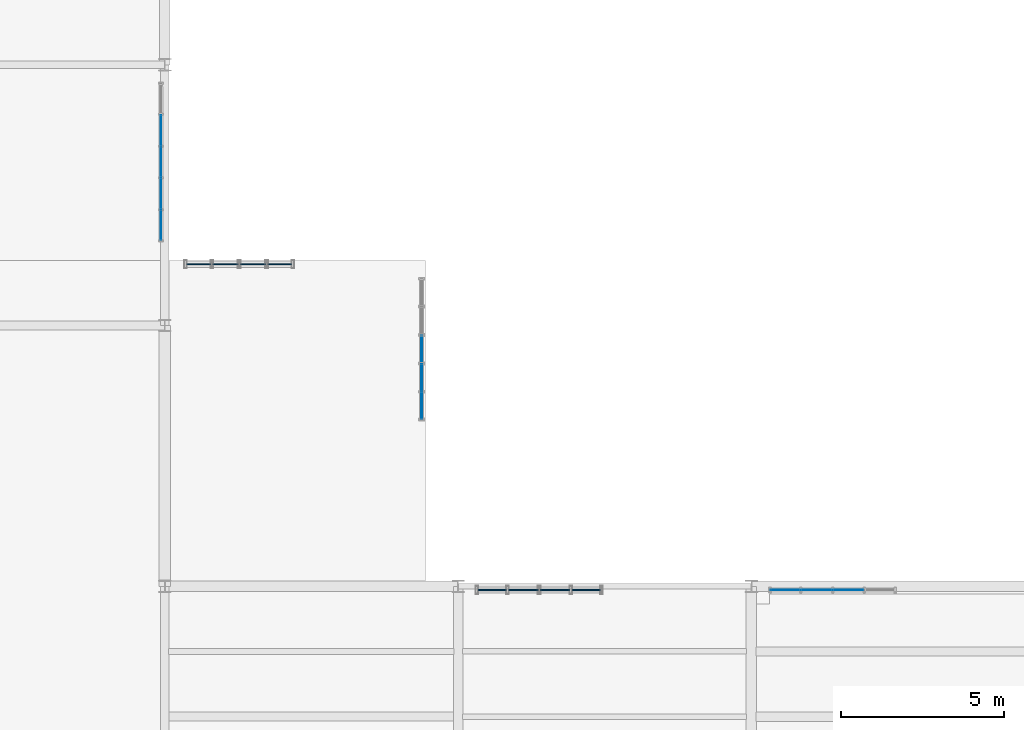
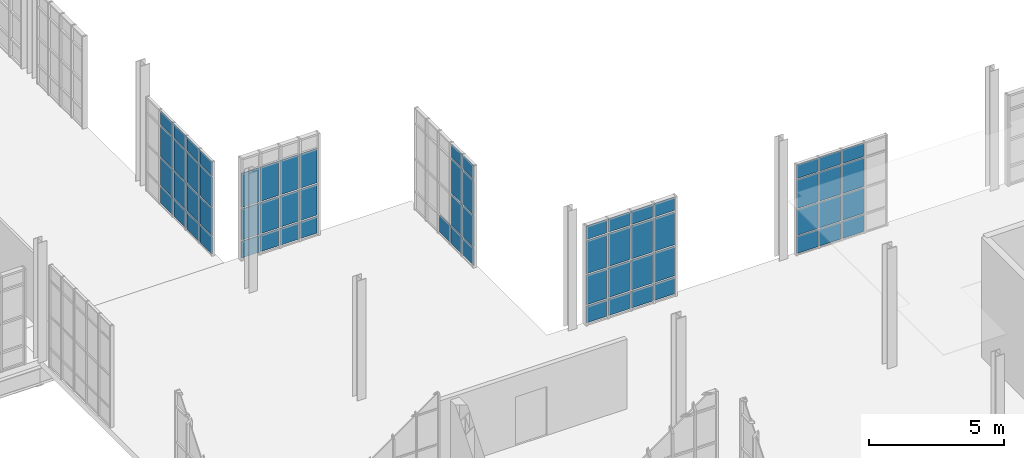
# One storey, part 156 of 189: 65 plates, 5 elements without a shape of their own.
"""IFC4 building model written with IfcOpenShell, lengths in metres."""

from ifc_helpers import new_model, si_unit, direction, frame, origin, origin_2d, place, context, subcontext, project, spatial, rectangle, extrude, material, layer, layer_set, type_object, element, aggregate, save


model = new_model("IFC4")

# Units and contexts
model_context = context("Model", 3, precision=1e-05, world=origin(), true_north=direction((0.0, 1.0)))
body_context = subcontext(model_context, "Body", "Model", "MODEL_VIEW")
ifc_project = project(units=[si_unit("LENGTHUNIT", "METRE"), si_unit("AREAUNIT", "SQUARE_METRE"), si_unit("VOLUMEUNIT", "CUBIC_METRE"), si_unit("PLANEANGLEUNIT", "RADIAN"), si_unit("MASSUNIT", "GRAM", prefix="KILO"), si_unit("THERMODYNAMICTEMPERATUREUNIT", "KELVIN"), si_unit("POWERUNIT", "WATT")], contexts=[model_context])

# Site, building, storey
site_placement = place(None, origin())
site = spatial("IfcSite", under=ifc_project, at=site_placement, CompositionType="ELEMENT")
building_placement = place(site_placement, origin())
building = spatial("IfcBuilding", under=site, at=building_placement, Name="Zelmaris Science Centre", CompositionType="ELEMENT")
storey_placement = place(building_placement, origin())
storey = spatial("IfcBuildingStorey", under=building, at=storey_placement, Name="L00", CompositionType="ELEMENT", Elevation=0.0)

# Curtain wall, plates
ifc_material_1 = material(Name="Anodised architectural aluminium 6063-T6", Category="aluminium")
ifc_layer_1 = layer(ifc_material_1, 0.18994140625, Name="Anodised architectural aluminium 6063-T6")
ifc_layer_set_1 = layer_set([ifc_layer_1], Name="Anodised architectural aluminium 6063-T6")
curtain_wall_type_1 = type_object("IfcCurtainWallType", Name="Curtain Wall CW-01", PredefinedType="USERDEFINED", material=ifc_layer_set_1)
curtain_wall_1_placement = place(storey_placement, origin())
curtain_wall_1 = element("IfcCurtainWall", 1, at=curtain_wall_1_placement, inside=storey, type_object=curtain_wall_type_1, Name="L00 Unitised curtain wall 89", ObjectType="GLAZED CURTAIN WALL", PredefinedType="USERDEFINED")
ifc_material_2 = material(Name="Laminated hurricane-rated low-E insulated glazing", Category="glass")
ifc_layer_2 = layer(ifc_material_2, 0.031982421875, Name="Laminated hurricane-rated low-E insulated glazing")
ifc_layer_set_2 = layer_set([ifc_layer_2], Name="Laminated hurricane-rated low-E insulated glazing")
plate_type_1 = type_object("IfcPlateType", Name="Curtain Glazing Panel CWP-1 32mm", PredefinedType="CURTAIN_PANEL", material=ifc_layer_set_2)
plate_1_placement = place(storey_placement, frame((109.039306640625, 65.8798828125, 0.05712890625), z_axis=(0.0, 0.0, 1.0), x_axis=(1.0, 0.0, 0.0)))
plate_1 = element("IfcPlate", 2, at=plate_1_placement, type_object=plate_type_1, Name="CW-01 panel 1.1", PredefinedType="CURTAIN_PANEL", context=body_context, shape_type="SweptSolid", body=[
    extrude(rectangle(XDim=0.734619140625, YDim=0.031982421875, at=origin_2d()), origin(), (0.0, 0.0, 1.0), 0.741943359375),
])
plate_2_placement = place(storey_placement, frame((109.039306640625, 65.8798828125, 0.87109375), z_axis=(0.0, 0.0, 1.0), x_axis=(1.0, 0.0, 0.0)))
plate_2 = element("IfcPlate", 3, at=plate_2_placement, type_object=plate_type_1, Name="CW-01 panel 1.2", PredefinedType="CURTAIN_PANEL", context=body_context, shape_type="SweptSolid", body=[
    extrude(rectangle(XDim=0.734619140625, YDim=0.031982421875, at=origin_2d()), origin(), (0.0, 0.0, 1.0), 1.385498046875),
])
plate_3_placement = place(storey_placement, frame((109.039306640625, 65.8798828125, 2.32861328125), z_axis=(0.0, 0.0, 1.0), x_axis=(1.0, 0.0, 0.0)))
plate_3 = element("IfcPlate", 4, at=plate_3_placement, type_object=plate_type_1, Name="CW-01 panel 1.3", PredefinedType="CURTAIN_PANEL", context=body_context, shape_type="SweptSolid", body=[
    extrude(rectangle(XDim=0.734619140625, YDim=0.031982421875, at=origin_2d()), origin(), (0.0, 0.0, 1.0), 1.535400390625),
])
plate_4_placement = place(storey_placement, frame((109.86376953125, 65.8798828125, 0.05712890625), z_axis=(0.0, 0.0, 1.0), x_axis=(1.0, 0.0, 0.0)))
plate_4 = element("IfcPlate", 5, at=plate_4_placement, type_object=plate_type_1, Name="CW-01 panel 2.1", PredefinedType="CURTAIN_PANEL", context=body_context, shape_type="SweptSolid", body=[
    extrude(rectangle(XDim=0.7705078125, YDim=0.031982421875, at=origin_2d()), origin(), (0.0, 0.0, 1.0), 0.741943359375),
])
plate_5_placement = place(storey_placement, frame((109.86376953125, 65.8798828125, 0.87109375), z_axis=(0.0, 0.0, 1.0), x_axis=(1.0, 0.0, 0.0)))
plate_5 = element("IfcPlate", 6, at=plate_5_placement, type_object=plate_type_1, Name="CW-01 panel 2.2", PredefinedType="CURTAIN_PANEL", context=body_context, shape_type="SweptSolid", body=[
    extrude(rectangle(XDim=0.7705078125, YDim=0.031982421875, at=origin_2d()), origin(), (0.0, 0.0, 1.0), 1.385498046875),
])
plate_6_placement = place(storey_placement, frame((109.86376953125, 65.8798828125, 2.32861328125), z_axis=(0.0, 0.0, 1.0), x_axis=(1.0, 0.0, 0.0)))
plate_6 = element("IfcPlate", 7, at=plate_6_placement, type_object=plate_type_1, Name="CW-01 panel 2.3", PredefinedType="CURTAIN_PANEL", context=body_context, shape_type="SweptSolid", body=[
    extrude(rectangle(XDim=0.7705078125, YDim=0.031982421875, at=origin_2d()), origin(), (0.0, 0.0, 1.0), 1.535400390625),
])
plate_7_placement = place(storey_placement, frame((110.706298828125, 65.8798828125, 0.05712890625), z_axis=(0.0, 0.0, 1.0), x_axis=(1.0, 0.0, 0.0)))
plate_7 = element("IfcPlate", 8, at=plate_7_placement, type_object=plate_type_1, Name="CW-01 panel 3.1", PredefinedType="CURTAIN_PANEL", context=body_context, shape_type="SweptSolid", body=[
    extrude(rectangle(XDim=0.7705078125, YDim=0.031982421875, at=origin_2d()), origin(), (0.0, 0.0, 1.0), 0.741943359375),
])
plate_8_placement = place(storey_placement, frame((110.706298828125, 65.8798828125, 0.87109375), z_axis=(0.0, 0.0, 1.0), x_axis=(1.0, 0.0, 0.0)))
plate_8 = element("IfcPlate", 9, at=plate_8_placement, type_object=plate_type_1, Name="CW-01 panel 3.2", PredefinedType="CURTAIN_PANEL", context=body_context, shape_type="SweptSolid", body=[
    extrude(rectangle(XDim=0.7705078125, YDim=0.031982421875, at=origin_2d()), origin(), (0.0, 0.0, 1.0), 1.385498046875),
])
plate_9_placement = place(storey_placement, frame((110.706298828125, 65.8798828125, 2.32861328125), z_axis=(0.0, 0.0, 1.0), x_axis=(1.0, 0.0, 0.0)))
plate_9 = element("IfcPlate", 10, at=plate_9_placement, type_object=plate_type_1, Name="CW-01 panel 3.3", PredefinedType="CURTAIN_PANEL", context=body_context, shape_type="SweptSolid", body=[
    extrude(rectangle(XDim=0.7705078125, YDim=0.031982421875, at=origin_2d()), origin(), (0.0, 0.0, 1.0), 1.535400390625),
])
plate_10_placement = place(storey_placement, frame((111.53076171875, 65.8798828125, 0.05712890625), z_axis=(0.0, 0.0, 1.0), x_axis=(1.0, 0.0, 0.0)))
plate_10 = element("IfcPlate", 11, at=plate_10_placement, type_object=plate_type_1, Name="CW-01 panel 4.1", PredefinedType="CURTAIN_PANEL", context=body_context, shape_type="SweptSolid", body=[
    extrude(rectangle(XDim=0.734619140625, YDim=0.031982421875, at=origin_2d()), origin(), (0.0, 0.0, 1.0), 0.741943359375),
])
plate_11_placement = place(storey_placement, frame((111.53076171875, 65.8798828125, 0.87109375), z_axis=(0.0, 0.0, 1.0), x_axis=(1.0, 0.0, 0.0)))
plate_11 = element("IfcPlate", 12, at=plate_11_placement, type_object=plate_type_1, Name="CW-01 panel 4.2", PredefinedType="CURTAIN_PANEL", context=body_context, shape_type="SweptSolid", body=[
    extrude(rectangle(XDim=0.734619140625, YDim=0.031982421875, at=origin_2d()), origin(), (0.0, 0.0, 1.0), 1.385498046875),
])
plate_12_placement = place(storey_placement, frame((111.53076171875, 65.8798828125, 2.32861328125), z_axis=(0.0, 0.0, 1.0), x_axis=(1.0, 0.0, 0.0)))
plate_12 = element("IfcPlate", 13, at=plate_12_placement, type_object=plate_type_1, Name="CW-01 panel 4.3", PredefinedType="CURTAIN_PANEL", context=body_context, shape_type="SweptSolid", body=[
    extrude(rectangle(XDim=0.734619140625, YDim=0.031982421875, at=origin_2d()), origin(), (0.0, 0.0, 1.0), 1.535400390625),
])
aggregate(curtain_wall_1, [plate_1, plate_2, plate_3, plate_4, plate_5, plate_6, plate_7, plate_8, plate_9, plate_10, plate_11, plate_12])

curtain_wall_2_placement = place(storey_placement, origin())
curtain_wall_2 = element("IfcCurtainWall", 14, at=curtain_wall_2_placement, inside=storey, type_object=curtain_wall_type_1, Name="L00 Unitised curtain wall 93", ObjectType="GLAZED CURTAIN WALL", PredefinedType="USERDEFINED")
plate_13_placement = place(storey_placement, frame((118.04541015625, 55.88671875, 0.05712890625), z_axis=(0.0, 0.0, 1.0), x_axis=(0.999999978961, -0.000205128196, 0.0)))
plate_13 = element("IfcPlate", 15, at=plate_13_placement, type_object=plate_type_1, Name="CW-01 panel 1.1", PredefinedType="CURTAIN_PANEL", context=body_context, shape_type="SweptSolid", body=[
    extrude(rectangle(XDim=0.866943359375, YDim=0.031982421875, at=origin_2d()), origin(), (0.0, 0.0, 1.0), 0.741943359375),
])
plate_14_placement = place(storey_placement, frame((118.04541015625, 55.88671875, 0.870849609375), z_axis=(0.0, 0.0, 1.0), x_axis=(0.999999978961, -0.000205128196, 0.0)))
plate_14 = element("IfcPlate", 16, at=plate_14_placement, type_object=plate_type_1, Name="CW-01 panel 1.2", PredefinedType="CURTAIN_PANEL", context=body_context, shape_type="SweptSolid", body=[
    extrude(rectangle(XDim=0.866943359375, YDim=0.031982421875, at=origin_2d()), origin(), (0.0, 0.0, 1.0), 1.32861328125),
])
plate_15_placement = place(storey_placement, frame((118.04541015625, 55.88671875, 2.271484375), z_axis=(0.0, 0.0, 1.0), x_axis=(0.999999978961, -0.000205128196, 0.0)))
plate_15 = element("IfcPlate", 17, at=plate_15_placement, type_object=plate_type_1, Name="CW-01 panel 1.3", PredefinedType="CURTAIN_PANEL", context=body_context, shape_type="SweptSolid", body=[
    extrude(rectangle(XDim=0.866943359375, YDim=0.031982421875, at=origin_2d()), origin(), (0.0, 0.0, 1.0), 1.478515625),
])
plate_16_placement = place(storey_placement, frame((118.04541015625, 55.88671875, 3.82177734375), z_axis=(0.0, 0.0, 1.0), x_axis=(0.999999978961, -0.000205128196, 0.0)))
plate_16 = element("IfcPlate", 18, at=plate_16_placement, type_object=plate_type_1, Name="CW-01 panel 1.4", PredefinedType="CURTAIN_PANEL", context=body_context, shape_type="SweptSolid", body=[
    extrude(rectangle(XDim=0.866943359375, YDim=0.031982421875, at=origin_2d()), origin(), (0.0, 0.0, 1.0), 0.592041015625),
])
plate_17_placement = place(storey_placement, frame((119.00244140625, 55.886474609375, 0.05712890625), z_axis=(0.0, 0.0, 1.0), x_axis=(0.999999978961, -0.000205128196, 0.0)))
plate_17 = element("IfcPlate", 19, at=plate_17_placement, type_object=plate_type_1, Name="CW-01 panel 2.1", PredefinedType="CURTAIN_PANEL", context=body_context, shape_type="SweptSolid", body=[
    extrude(rectangle(XDim=0.903076171875, YDim=0.031982421875, at=origin_2d()), origin(), (0.0, 0.0, 1.0), 0.741943359375),
])
plate_18_placement = place(storey_placement, frame((119.00244140625, 55.886474609375, 0.870849609375), z_axis=(0.0, 0.0, 1.0), x_axis=(0.999999978961, -0.000205128196, 0.0)))
plate_18 = element("IfcPlate", 20, at=plate_18_placement, type_object=plate_type_1, Name="CW-01 panel 2.2", PredefinedType="CURTAIN_PANEL", context=body_context, shape_type="SweptSolid", body=[
    extrude(rectangle(XDim=0.903076171875, YDim=0.031982421875, at=origin_2d()), origin(), (0.0, 0.0, 1.0), 1.32861328125),
])
plate_19_placement = place(storey_placement, frame((119.00244140625, 55.886474609375, 2.271484375), z_axis=(0.0, 0.0, 1.0), x_axis=(0.999999978961, -0.000205128196, 0.0)))
plate_19 = element("IfcPlate", 21, at=plate_19_placement, type_object=plate_type_1, Name="CW-01 panel 2.3", PredefinedType="CURTAIN_PANEL", context=body_context, shape_type="SweptSolid", body=[
    extrude(rectangle(XDim=0.903076171875, YDim=0.031982421875, at=origin_2d()), origin(), (0.0, 0.0, 1.0), 1.478515625),
])
plate_20_placement = place(storey_placement, frame((119.00244140625, 55.886474609375, 3.82177734375), z_axis=(0.0, 0.0, 1.0), x_axis=(0.999999978961, -0.000205128196, 0.0)))
plate_20 = element("IfcPlate", 22, at=plate_20_placement, type_object=plate_type_1, Name="CW-01 panel 2.4", PredefinedType="CURTAIN_PANEL", context=body_context, shape_type="SweptSolid", body=[
    extrude(rectangle(XDim=0.903076171875, YDim=0.031982421875, at=origin_2d()), origin(), (0.0, 0.0, 1.0), 0.592041015625),
])
plate_21_placement = place(storey_placement, frame((119.9775390625, 55.88623046875, 0.05712890625), z_axis=(0.0, 0.0, 1.0), x_axis=(0.999999978961, -0.000205128196, 0.0)))
plate_21 = element("IfcPlate", 23, at=plate_21_placement, type_object=plate_type_1, Name="CW-01 panel 3.1", PredefinedType="CURTAIN_PANEL", context=body_context, shape_type="SweptSolid", body=[
    extrude(rectangle(XDim=0.903076171875, YDim=0.031982421875, at=origin_2d()), origin(), (0.0, 0.0, 1.0), 0.741943359375),
])
plate_22_placement = place(storey_placement, frame((119.9775390625, 55.88623046875, 0.870849609375), z_axis=(0.0, 0.0, 1.0), x_axis=(0.999999978961, -0.000205128196, 0.0)))
plate_22 = element("IfcPlate", 24, at=plate_22_placement, type_object=plate_type_1, Name="CW-01 panel 3.2", PredefinedType="CURTAIN_PANEL", context=body_context, shape_type="SweptSolid", body=[
    extrude(rectangle(XDim=0.903076171875, YDim=0.031982421875, at=origin_2d()), origin(), (0.0, 0.0, 1.0), 1.32861328125),
])
plate_23_placement = place(storey_placement, frame((119.9775390625, 55.88623046875, 2.271484375), z_axis=(0.0, 0.0, 1.0), x_axis=(0.999999978961, -0.000205128196, 0.0)))
plate_23 = element("IfcPlate", 25, at=plate_23_placement, type_object=plate_type_1, Name="CW-01 panel 3.3", PredefinedType="CURTAIN_PANEL", context=body_context, shape_type="SweptSolid", body=[
    extrude(rectangle(XDim=0.903076171875, YDim=0.031982421875, at=origin_2d()), origin(), (0.0, 0.0, 1.0), 1.478515625),
])
plate_24_placement = place(storey_placement, frame((119.9775390625, 55.88623046875, 3.82177734375), z_axis=(0.0, 0.0, 1.0), x_axis=(0.999999978961, -0.000205128196, 0.0)))
plate_24 = element("IfcPlate", 26, at=plate_24_placement, type_object=plate_type_1, Name="CW-01 panel 3.4", PredefinedType="CURTAIN_PANEL", context=body_context, shape_type="SweptSolid", body=[
    extrude(rectangle(XDim=0.903076171875, YDim=0.031982421875, at=origin_2d()), origin(), (0.0, 0.0, 1.0), 0.592041015625),
])
plate_25_placement = place(storey_placement, frame((120.9345703125, 55.885986328125, 0.05712890625), z_axis=(0.0, 0.0, 1.0), x_axis=(0.999999978961, -0.000205128196, 0.0)))
plate_25 = element("IfcPlate", 27, at=plate_25_placement, type_object=plate_type_1, Name="CW-01 panel 4.1", PredefinedType="CURTAIN_PANEL", context=body_context, shape_type="SweptSolid", body=[
    extrude(rectangle(XDim=0.866943359375, YDim=0.031982421875, at=origin_2d()), origin(), (0.0, 0.0, 1.0), 0.741943359375),
])
plate_26_placement = place(storey_placement, frame((120.9345703125, 55.885986328125, 0.870849609375), z_axis=(0.0, 0.0, 1.0), x_axis=(0.999999978961, -0.000205128196, 0.0)))
plate_26 = element("IfcPlate", 28, at=plate_26_placement, type_object=plate_type_1, Name="CW-01 panel 4.2", PredefinedType="CURTAIN_PANEL", context=body_context, shape_type="SweptSolid", body=[
    extrude(rectangle(XDim=0.866943359375, YDim=0.031982421875, at=origin_2d()), origin(), (0.0, 0.0, 1.0), 1.32861328125),
])
plate_27_placement = place(storey_placement, frame((120.9345703125, 55.885986328125, 2.271484375), z_axis=(0.0, 0.0, 1.0), x_axis=(0.999999978961, -0.000205128196, 0.0)))
plate_27 = element("IfcPlate", 29, at=plate_27_placement, type_object=plate_type_1, Name="CW-01 panel 4.3", PredefinedType="CURTAIN_PANEL", context=body_context, shape_type="SweptSolid", body=[
    extrude(rectangle(XDim=0.866943359375, YDim=0.031982421875, at=origin_2d()), origin(), (0.0, 0.0, 1.0), 1.478515625),
])
plate_28_placement = place(storey_placement, frame((120.9345703125, 55.885986328125, 3.82177734375), z_axis=(0.0, 0.0, 1.0), x_axis=(0.999999978961, -0.000205128196, 0.0)))
plate_28 = element("IfcPlate", 30, at=plate_28_placement, type_object=plate_type_1, Name="CW-01 panel 4.4", PredefinedType="CURTAIN_PANEL", context=body_context, shape_type="SweptSolid", body=[
    extrude(rectangle(XDim=0.866943359375, YDim=0.031982421875, at=origin_2d()), origin(), (0.0, 0.0, 1.0), 0.592041015625),
])
aggregate(curtain_wall_2, [plate_13, plate_14, plate_15, plate_16, plate_17, plate_18, plate_19, plate_20, plate_21, plate_22, plate_23, plate_24, plate_25, plate_26, plate_27, plate_28])

ifc_layer_3 = layer(ifc_material_1, 0.2099609375, Name="Anodised architectural aluminium 6063-T6")
ifc_layer_set_3 = layer_set([ifc_layer_3], Name="Anodised architectural aluminium 6063-T6")
curtain_wall_type_2 = type_object("IfcCurtainWallType", Name="Curtain Wall CW-03", PredefinedType="USERDEFINED", material=ifc_layer_set_3)
curtain_wall_3_placement = place(storey_placement, origin())
curtain_wall_3 = element("IfcCurtainWall", 31, at=curtain_wall_3_placement, inside=storey, type_object=curtain_wall_type_2, Name="L00 Unitised curtain wall 91", ObjectType="GLAZED CURTAIN WALL", PredefinedType="USERDEFINED")
ifc_layer_4 = layer(ifc_material_2, 0.02587890625, Name="Laminated hurricane-rated low-E insulated glazing")
ifc_layer_set_4 = layer_set([ifc_layer_4], Name="Laminated hurricane-rated low-E insulated glazing")
plate_type_2 = type_object("IfcPlateType", Name="Curtain Glazing Panel CWP-3 26mm", PredefinedType="CURTAIN_PANEL", material=ifc_layer_set_4)
plate_29_placement = place(storey_placement, frame((115.8798828125, 63.27490234375, 0.0419921875), z_axis=(0.0, 0.0, 1.0), x_axis=(2.2883815e-05, -0.999999999738, 0.0)))
plate_29 = element("IfcPlate", 32, at=plate_29_placement, type_object=plate_type_2, Name="CW-03 panel 3.1", PredefinedType="CURTAIN_PANEL", context=body_context, shape_type="SweptSolid", body=[
    extrude(rectangle(XDim=0.81689453125, YDim=0.02587890625, at=origin_2d()), origin(), (0.0, 0.0, 1.0), 0.764404296875),
])
plate_30_placement = place(storey_placement, frame((115.8798828125, 62.40087890625, 0.0419921875), z_axis=(0.0, 0.0, 1.0), x_axis=(2.2883815e-05, -0.999999999738, 0.0)))
plate_30 = element("IfcPlate", 33, at=plate_30_placement, type_object=plate_type_2, Name="CW-03 panel 4.1", PredefinedType="CURTAIN_PANEL", context=body_context, shape_type="SweptSolid", body=[
    extrude(rectangle(XDim=0.81689453125, YDim=0.02587890625, at=origin_2d()), origin(), (0.0, 0.0, 1.0), 0.764404296875),
])
plate_31_placement = place(storey_placement, frame((115.8798828125, 62.40087890625, 0.863525390625), z_axis=(0.0, 0.0, 1.0), x_axis=(2.2883815e-05, -0.999999999738, 0.0)))
plate_31 = element("IfcPlate", 34, at=plate_31_placement, type_object=plate_type_2, Name="CW-03 panel 4.2", PredefinedType="CURTAIN_PANEL", context=body_context, shape_type="SweptSolid", body=[
    extrude(rectangle(XDim=0.81689453125, YDim=0.02587890625, at=origin_2d()), origin(), (0.0, 0.0, 1.0), 1.400390625),
])
plate_32_placement = place(storey_placement, frame((115.8798828125, 62.40087890625, 2.32080078125), z_axis=(0.0, 0.0, 1.0), x_axis=(2.2883815e-05, -0.999999999738, 0.0)))
plate_32 = element("IfcPlate", 35, at=plate_32_placement, type_object=plate_type_2, Name="CW-03 panel 4.3", PredefinedType="CURTAIN_PANEL", context=body_context, shape_type="SweptSolid", body=[
    extrude(rectangle(XDim=0.81689453125, YDim=0.02587890625, at=origin_2d()), origin(), (0.0, 0.0, 1.0), 1.550537109375),
])
plate_33_placement = place(storey_placement, frame((115.8798828125, 62.40087890625, 3.9287109375), z_axis=(0.0, 0.0, 1.0), x_axis=(2.2883815e-05, -0.999999999738, 0.0)))
plate_33 = element("IfcPlate", 36, at=plate_33_placement, type_object=plate_type_2, Name="CW-03 panel 4.4", PredefinedType="CURTAIN_PANEL", context=body_context, shape_type="SweptSolid", body=[
    extrude(rectangle(XDim=0.81689453125, YDim=0.02587890625, at=origin_2d()), origin(), (0.0, 0.0, 1.0), 0.614501953125),
])
plate_34_placement = place(storey_placement, frame((115.8798828125, 61.541259765625, 0.0419921875), z_axis=(0.0, 0.0, 1.0), x_axis=(2.2883815e-05, -0.999999999738, 0.0)))
plate_34 = element("IfcPlate", 37, at=plate_34_placement, type_object=plate_type_2, Name="CW-03 panel 5.1", PredefinedType="CURTAIN_PANEL", context=body_context, shape_type="SweptSolid", body=[
    extrude(rectangle(XDim=0.78857421875, YDim=0.02587890625, at=origin_2d()), origin(), (0.0, 0.0, 1.0), 0.764404296875),
])
plate_35_placement = place(storey_placement, frame((115.8798828125, 61.541259765625, 0.863525390625), z_axis=(0.0, 0.0, 1.0), x_axis=(2.2883815e-05, -0.999999999738, 0.0)))
plate_35 = element("IfcPlate", 38, at=plate_35_placement, type_object=plate_type_2, Name="CW-03 panel 5.2", PredefinedType="CURTAIN_PANEL", context=body_context, shape_type="SweptSolid", body=[
    extrude(rectangle(XDim=0.78857421875, YDim=0.02587890625, at=origin_2d()), origin(), (0.0, 0.0, 1.0), 1.400390625),
])
plate_36_placement = place(storey_placement, frame((115.8798828125, 61.541259765625, 2.32080078125), z_axis=(0.0, 0.0, 1.0), x_axis=(2.2883815e-05, -0.999999999738, 0.0)))
plate_36 = element("IfcPlate", 39, at=plate_36_placement, type_object=plate_type_2, Name="CW-03 panel 5.3", PredefinedType="CURTAIN_PANEL", context=body_context, shape_type="SweptSolid", body=[
    extrude(rectangle(XDim=0.78857421875, YDim=0.02587890625, at=origin_2d()), origin(), (0.0, 0.0, 1.0), 1.550537109375),
])
plate_37_placement = place(storey_placement, frame((115.8798828125, 61.541259765625, 3.9287109375), z_axis=(0.0, 0.0, 1.0), x_axis=(2.2883815e-05, -0.999999999738, 0.0)))
plate_37 = element("IfcPlate", 40, at=plate_37_placement, type_object=plate_type_2, Name="CW-03 panel 5.4", PredefinedType="CURTAIN_PANEL", context=body_context, shape_type="SweptSolid", body=[
    extrude(rectangle(XDim=0.78857421875, YDim=0.02587890625, at=origin_2d()), origin(), (0.0, 0.0, 1.0), 0.614501953125),
])
aggregate(curtain_wall_3, [plate_29, plate_30, plate_31, plate_32, plate_33, plate_34, plate_35, plate_36, plate_37])

curtain_wall_4_placement = place(storey_placement, origin())
curtain_wall_4 = element("IfcCurtainWall", 41, at=curtain_wall_4_placement, inside=storey, type_object=curtain_wall_type_2, Name="L00 Unitised curtain wall 95", ObjectType="GLAZED CURTAIN WALL", PredefinedType="USERDEFINED")
plate_38_placement = place(storey_placement, frame((127.041748046875, 55.885009765625, 0.0419921875), z_axis=(0.0, 0.0, 1.0), x_axis=(0.999999978961, -0.000205128196, 0.0)))
plate_38 = element("IfcPlate", 42, at=plate_38_placement, type_object=plate_type_2, Name="CW-03 panel 1.1", PredefinedType="CURTAIN_PANEL", context=body_context, shape_type="SweptSolid", body=[
    extrude(rectangle(XDim=0.889404296875, YDim=0.02587890625, at=origin_2d()), origin(), (0.0, 0.0, 1.0), 0.764404296875),
])
plate_39_placement = place(storey_placement, frame((127.041748046875, 55.885009765625, 0.863525390625), z_axis=(0.0, 0.0, 1.0), x_axis=(0.999999978961, -0.000205128196, 0.0)))
plate_39 = element("IfcPlate", 43, at=plate_39_placement, type_object=plate_type_2, Name="CW-03 panel 1.2", PredefinedType="CURTAIN_PANEL", context=body_context, shape_type="SweptSolid", body=[
    extrude(rectangle(XDim=0.889404296875, YDim=0.02587890625, at=origin_2d()), origin(), (0.0, 0.0, 1.0), 1.1474609375),
])
plate_40_placement = place(storey_placement, frame((127.041748046875, 55.885009765625, 2.06787109375), z_axis=(0.0, 0.0, 1.0), x_axis=(0.999999978961, -0.000205128196, 0.0)))
plate_40 = element("IfcPlate", 44, at=plate_40_placement, type_object=plate_type_2, Name="CW-03 panel 1.3", PredefinedType="CURTAIN_PANEL", context=body_context, shape_type="SweptSolid", body=[
    extrude(rectangle(XDim=0.889404296875, YDim=0.02587890625, at=origin_2d()), origin(), (0.0, 0.0, 1.0), 1.297607421875),
])
plate_41_placement = place(storey_placement, frame((127.041748046875, 55.885009765625, 3.42236328125), z_axis=(0.0, 0.0, 1.0), x_axis=(0.999999978961, -0.000205128196, 0.0)))
plate_41 = element("IfcPlate", 45, at=plate_41_placement, type_object=plate_type_2, Name="CW-03 panel 1.4", PredefinedType="CURTAIN_PANEL", context=body_context, shape_type="SweptSolid", body=[
    extrude(rectangle(XDim=0.889404296875, YDim=0.02587890625, at=origin_2d()), origin(), (0.0, 0.0, 1.0), 0.614501953125),
])
plate_42_placement = place(storey_placement, frame((128.00244140625, 55.884765625, 0.0419921875), z_axis=(0.0, 0.0, 1.0), x_axis=(0.999999978961, -0.000205128196, 0.0)))
plate_42 = element("IfcPlate", 46, at=plate_42_placement, type_object=plate_type_2, Name="CW-03 panel 2.1", PredefinedType="CURTAIN_PANEL", context=body_context, shape_type="SweptSolid", body=[
    extrude(rectangle(XDim=0.91796875, YDim=0.02587890625, at=origin_2d()), origin(), (0.0, 0.0, 1.0), 0.764404296875),
])
plate_43_placement = place(storey_placement, frame((128.00244140625, 55.884765625, 0.863525390625), z_axis=(0.0, 0.0, 1.0), x_axis=(0.999999978961, -0.000205128196, 0.0)))
plate_43 = element("IfcPlate", 47, at=plate_43_placement, type_object=plate_type_2, Name="CW-03 panel 2.2", PredefinedType="CURTAIN_PANEL", context=body_context, shape_type="SweptSolid", body=[
    extrude(rectangle(XDim=0.91796875, YDim=0.02587890625, at=origin_2d()), origin(), (0.0, 0.0, 1.0), 1.1474609375),
])
plate_44_placement = place(storey_placement, frame((128.00244140625, 55.884765625, 2.06787109375), z_axis=(0.0, 0.0, 1.0), x_axis=(0.999999978961, -0.000205128196, 0.0)))
plate_44 = element("IfcPlate", 48, at=plate_44_placement, type_object=plate_type_2, Name="CW-03 panel 2.3", PredefinedType="CURTAIN_PANEL", context=body_context, shape_type="SweptSolid", body=[
    extrude(rectangle(XDim=0.91796875, YDim=0.02587890625, at=origin_2d()), origin(), (0.0, 0.0, 1.0), 1.297607421875),
])
plate_45_placement = place(storey_placement, frame((128.00244140625, 55.884765625, 3.42236328125), z_axis=(0.0, 0.0, 1.0), x_axis=(0.999999978961, -0.000205128196, 0.0)))
plate_45 = element("IfcPlate", 49, at=plate_45_placement, type_object=plate_type_2, Name="CW-03 panel 2.4", PredefinedType="CURTAIN_PANEL", context=body_context, shape_type="SweptSolid", body=[
    extrude(rectangle(XDim=0.91796875, YDim=0.02587890625, at=origin_2d()), origin(), (0.0, 0.0, 1.0), 0.614501953125),
])
plate_46_placement = place(storey_placement, frame((128.9775390625, 55.884521484375, 0.0419921875), z_axis=(0.0, 0.0, 1.0), x_axis=(0.999999978961, -0.000205128196, 0.0)))
plate_46 = element("IfcPlate", 50, at=plate_46_placement, type_object=plate_type_2, Name="CW-03 panel 3.1", PredefinedType="CURTAIN_PANEL", context=body_context, shape_type="SweptSolid", body=[
    extrude(rectangle(XDim=0.91796875, YDim=0.02587890625, at=origin_2d()), origin(), (0.0, 0.0, 1.0), 0.764404296875),
])
plate_47_placement = place(storey_placement, frame((128.9775390625, 55.884521484375, 0.863525390625), z_axis=(0.0, 0.0, 1.0), x_axis=(0.999999978961, -0.000205128196, 0.0)))
plate_47 = element("IfcPlate", 51, at=plate_47_placement, type_object=plate_type_2, Name="CW-03 panel 3.2", PredefinedType="CURTAIN_PANEL", context=body_context, shape_type="SweptSolid", body=[
    extrude(rectangle(XDim=0.91796875, YDim=0.02587890625, at=origin_2d()), origin(), (0.0, 0.0, 1.0), 1.1474609375),
])
plate_48_placement = place(storey_placement, frame((128.9775390625, 55.884521484375, 2.06787109375), z_axis=(0.0, 0.0, 1.0), x_axis=(0.999999978961, -0.000205128196, 0.0)))
plate_48 = element("IfcPlate", 52, at=plate_48_placement, type_object=plate_type_2, Name="CW-03 panel 3.3", PredefinedType="CURTAIN_PANEL", context=body_context, shape_type="SweptSolid", body=[
    extrude(rectangle(XDim=0.91796875, YDim=0.02587890625, at=origin_2d()), origin(), (0.0, 0.0, 1.0), 1.297607421875),
])
plate_49_placement = place(storey_placement, frame((128.9775390625, 55.884521484375, 3.42236328125), z_axis=(0.0, 0.0, 1.0), x_axis=(0.999999978961, -0.000205128196, 0.0)))
plate_49 = element("IfcPlate", 53, at=plate_49_placement, type_object=plate_type_2, Name="CW-03 panel 3.4", PredefinedType="CURTAIN_PANEL", context=body_context, shape_type="SweptSolid", body=[
    extrude(rectangle(XDim=0.91796875, YDim=0.02587890625, at=origin_2d()), origin(), (0.0, 0.0, 1.0), 0.614501953125),
])
aggregate(curtain_wall_4, [plate_38, plate_39, plate_40, plate_41, plate_42, plate_43, plate_44, plate_45, plate_46, plate_47, plate_48, plate_49])

ifc_layer_5 = layer(ifc_material_1, 0.219970703125, Name="Anodised architectural aluminium 6063-T6")
ifc_layer_set_5 = layer_set([ifc_layer_5], Name="Anodised architectural aluminium 6063-T6")
curtain_wall_type_3 = type_object("IfcCurtainWallType", Name="Curtain Wall CW-04", PredefinedType="USERDEFINED", material=ifc_layer_set_5)
curtain_wall_5_placement = place(storey_placement, origin())
curtain_wall_5 = element("IfcCurtainWall", 54, at=curtain_wall_5_placement, inside=storey, type_object=curtain_wall_type_3, Name="L00 Unitised curtain wall 88", ObjectType="GLAZED CURTAIN WALL", PredefinedType="USERDEFINED")
ifc_layer_6 = layer(ifc_material_2, 0.02392578125, Name="Laminated hurricane-rated low-E insulated glazing")
ifc_layer_set_6 = layer_set([ifc_layer_6], Name="Laminated hurricane-rated low-E insulated glazing")
plate_type_3 = type_object("IfcPlateType", Name="Curtain Glazing Panel CWP-4 24mm", PredefinedType="CURTAIN_PANEL", material=ifc_layer_set_6)
plate_50_placement = place(storey_placement, frame((107.882080078125, 69.996826171875, 0.037109375), z_axis=(0.0, 0.0, 1.0), x_axis=(0.000123016356, -0.999999992433, 0.0)))
plate_50 = element("IfcPlate", 55, at=plate_50_placement, type_object=plate_type_3, Name="CW-04 panel 2.1", PredefinedType="CURTAIN_PANEL", context=body_context, shape_type="SweptSolid", body=[
    extrude(rectangle(XDim=0.923583984375, YDim=0.02392578125, at=origin_2d()), origin(), (0.0, 0.0, 1.0), 0.77197265625),
])
plate_51_placement = place(storey_placement, frame((107.882080078125, 69.996826171875, 0.861083984375), z_axis=(0.0, 0.0, 1.0), x_axis=(0.000123016356, -0.999999992433, 0.0)))
plate_51 = element("IfcPlate", 56, at=plate_51_placement, type_object=plate_type_3, Name="CW-04 panel 2.2", PredefinedType="CURTAIN_PANEL", context=body_context, shape_type="SweptSolid", body=[
    extrude(rectangle(XDim=0.923583984375, YDim=0.02392578125, at=origin_2d()), origin(), (0.0, 0.0, 1.0), 1.22998046875),
])
plate_52_placement = place(storey_placement, frame((107.882080078125, 69.996826171875, 2.14306640625), z_axis=(0.0, 0.0, 1.0), x_axis=(0.000123016356, -0.999999992433, 0.0)))
plate_52 = element("IfcPlate", 57, at=plate_52_placement, type_object=plate_type_3, Name="CW-04 panel 2.3", PredefinedType="CURTAIN_PANEL", context=body_context, shape_type="SweptSolid", body=[
    extrude(rectangle(XDim=0.923583984375, YDim=0.02392578125, at=origin_2d()), origin(), (0.0, 0.0, 1.0), 1.3798828125),
])
plate_53_placement = place(storey_placement, frame((107.882080078125, 69.996826171875, 3.574951171875), z_axis=(0.0, 0.0, 1.0), x_axis=(0.000123016356, -0.999999992433, 0.0)))
plate_53 = element("IfcPlate", 58, at=plate_53_placement, type_object=plate_type_3, Name="CW-04 panel 2.4", PredefinedType="CURTAIN_PANEL", context=body_context, shape_type="SweptSolid", body=[
    extrude(rectangle(XDim=0.923583984375, YDim=0.02392578125, at=origin_2d()), origin(), (0.0, 0.0, 1.0), 0.6220703125),
])
plate_54_placement = place(storey_placement, frame((107.882080078125, 69.021240234375, 0.037109375), z_axis=(0.0, 0.0, 1.0), x_axis=(0.000123016356, -0.999999992433, 0.0)))
plate_54 = element("IfcPlate", 59, at=plate_54_placement, type_object=plate_type_3, Name="CW-04 panel 3.1", PredefinedType="CURTAIN_PANEL", context=body_context, shape_type="SweptSolid", body=[
    extrude(rectangle(XDim=0.923583984375, YDim=0.02392578125, at=origin_2d()), origin(), (0.0, 0.0, 1.0), 0.77197265625),
])
plate_55_placement = place(storey_placement, frame((107.882080078125, 69.021240234375, 0.861083984375), z_axis=(0.0, 0.0, 1.0), x_axis=(0.000123016356, -0.999999992433, 0.0)))
plate_55 = element("IfcPlate", 60, at=plate_55_placement, type_object=plate_type_3, Name="CW-04 panel 3.2", PredefinedType="CURTAIN_PANEL", context=body_context, shape_type="SweptSolid", body=[
    extrude(rectangle(XDim=0.923583984375, YDim=0.02392578125, at=origin_2d()), origin(), (0.0, 0.0, 1.0), 1.22998046875),
])
plate_56_placement = place(storey_placement, frame((107.882080078125, 69.021240234375, 2.14306640625), z_axis=(0.0, 0.0, 1.0), x_axis=(0.000123016356, -0.999999992433, 0.0)))
plate_56 = element("IfcPlate", 61, at=plate_56_placement, type_object=plate_type_3, Name="CW-04 panel 3.3", PredefinedType="CURTAIN_PANEL", context=body_context, shape_type="SweptSolid", body=[
    extrude(rectangle(XDim=0.923583984375, YDim=0.02392578125, at=origin_2d()), origin(), (0.0, 0.0, 1.0), 1.3798828125),
])
plate_57_placement = place(storey_placement, frame((107.882080078125, 69.021240234375, 3.574951171875), z_axis=(0.0, 0.0, 1.0), x_axis=(0.000123016356, -0.999999992433, 0.0)))
plate_57 = element("IfcPlate", 62, at=plate_57_placement, type_object=plate_type_3, Name="CW-04 panel 3.4", PredefinedType="CURTAIN_PANEL", context=body_context, shape_type="SweptSolid", body=[
    extrude(rectangle(XDim=0.923583984375, YDim=0.02392578125, at=origin_2d()), origin(), (0.0, 0.0, 1.0), 0.6220703125),
])
plate_58_placement = place(storey_placement, frame((107.88232421875, 68.0458984375, 0.037109375), z_axis=(0.0, 0.0, 1.0), x_axis=(0.000123016356, -0.999999992433, 0.0)))
plate_58 = element("IfcPlate", 63, at=plate_58_placement, type_object=plate_type_3, Name="CW-04 panel 4.1", PredefinedType="CURTAIN_PANEL", context=body_context, shape_type="SweptSolid", body=[
    extrude(rectangle(XDim=0.923583984375, YDim=0.02392578125, at=origin_2d()), origin(), (0.0, 0.0, 1.0), 0.77197265625),
])
plate_59_placement = place(storey_placement, frame((107.88232421875, 68.0458984375, 0.861083984375), z_axis=(0.0, 0.0, 1.0), x_axis=(0.000123016356, -0.999999992433, 0.0)))
plate_59 = element("IfcPlate", 64, at=plate_59_placement, type_object=plate_type_3, Name="CW-04 panel 4.2", PredefinedType="CURTAIN_PANEL", context=body_context, shape_type="SweptSolid", body=[
    extrude(rectangle(XDim=0.923583984375, YDim=0.02392578125, at=origin_2d()), origin(), (0.0, 0.0, 1.0), 1.22998046875),
])
plate_60_placement = place(storey_placement, frame((107.88232421875, 68.0458984375, 2.14306640625), z_axis=(0.0, 0.0, 1.0), x_axis=(0.000123016356, -0.999999992433, 0.0)))
plate_60 = element("IfcPlate", 65, at=plate_60_placement, type_object=plate_type_3, Name="CW-04 panel 4.3", PredefinedType="CURTAIN_PANEL", context=body_context, shape_type="SweptSolid", body=[
    extrude(rectangle(XDim=0.923583984375, YDim=0.02392578125, at=origin_2d()), origin(), (0.0, 0.0, 1.0), 1.3798828125),
])
plate_61_placement = place(storey_placement, frame((107.88232421875, 68.0458984375, 3.574951171875), z_axis=(0.0, 0.0, 1.0), x_axis=(0.000123016356, -0.999999992433, 0.0)))
plate_61 = element("IfcPlate", 66, at=plate_61_placement, type_object=plate_type_3, Name="CW-04 panel 4.4", PredefinedType="CURTAIN_PANEL", context=body_context, shape_type="SweptSolid", body=[
    extrude(rectangle(XDim=0.923583984375, YDim=0.02392578125, at=origin_2d()), origin(), (0.0, 0.0, 1.0), 0.6220703125),
])
plate_62_placement = place(storey_placement, frame((107.88232421875, 67.083251953125, 0.037109375), z_axis=(0.0, 0.0, 1.0), x_axis=(0.000123016356, -0.999999992433, 0.0)))
plate_62 = element("IfcPlate", 67, at=plate_62_placement, type_object=plate_type_3, Name="CW-04 panel 5.1", PredefinedType="CURTAIN_PANEL", context=body_context, shape_type="SweptSolid", body=[
    extrude(rectangle(XDim=0.8974609375, YDim=0.02392578125, at=origin_2d()), origin(), (0.0, 0.0, 1.0), 0.77197265625),
])
plate_63_placement = place(storey_placement, frame((107.88232421875, 67.083251953125, 0.861083984375), z_axis=(0.0, 0.0, 1.0), x_axis=(0.000123016356, -0.999999992433, 0.0)))
plate_63 = element("IfcPlate", 68, at=plate_63_placement, type_object=plate_type_3, Name="CW-04 panel 5.2", PredefinedType="CURTAIN_PANEL", context=body_context, shape_type="SweptSolid", body=[
    extrude(rectangle(XDim=0.8974609375, YDim=0.02392578125, at=origin_2d()), origin(), (0.0, 0.0, 1.0), 1.22998046875),
])
plate_64_placement = place(storey_placement, frame((107.88232421875, 67.083251953125, 2.14306640625), z_axis=(0.0, 0.0, 1.0), x_axis=(0.000123016356, -0.999999992433, 0.0)))
plate_64 = element("IfcPlate", 69, at=plate_64_placement, type_object=plate_type_3, Name="CW-04 panel 5.3", PredefinedType="CURTAIN_PANEL", context=body_context, shape_type="SweptSolid", body=[
    extrude(rectangle(XDim=0.8974609375, YDim=0.02392578125, at=origin_2d()), origin(), (0.0, 0.0, 1.0), 1.3798828125),
])
plate_65_placement = place(storey_placement, frame((107.88232421875, 67.083251953125, 3.574951171875), z_axis=(0.0, 0.0, 1.0), x_axis=(0.000123016356, -0.999999992433, 0.0)))
plate_65 = element("IfcPlate", 70, at=plate_65_placement, type_object=plate_type_3, Name="CW-04 panel 5.4", PredefinedType="CURTAIN_PANEL", context=body_context, shape_type="SweptSolid", body=[
    extrude(rectangle(XDim=0.8974609375, YDim=0.02392578125, at=origin_2d()), origin(), (0.0, 0.0, 1.0), 0.6220703125),
])
aggregate(curtain_wall_5, [plate_50, plate_51, plate_52, plate_53, plate_54, plate_55, plate_56, plate_57, plate_58, plate_59, plate_60, plate_61, plate_62, plate_63, plate_64, plate_65])

save(model, "model.ifc")
